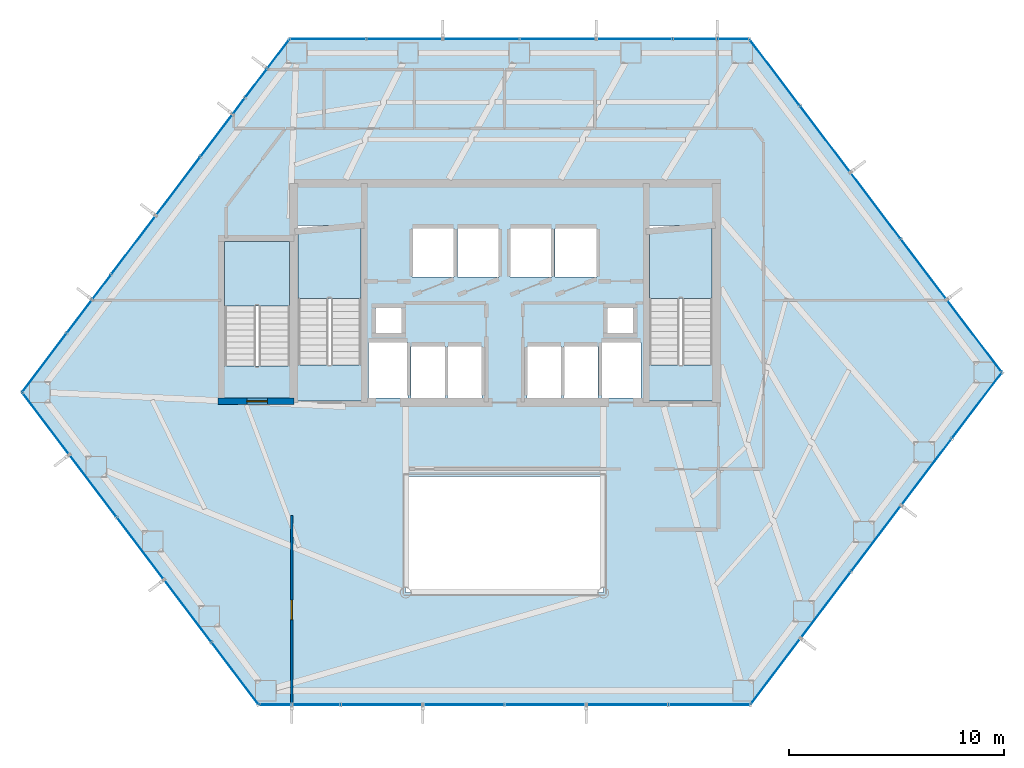
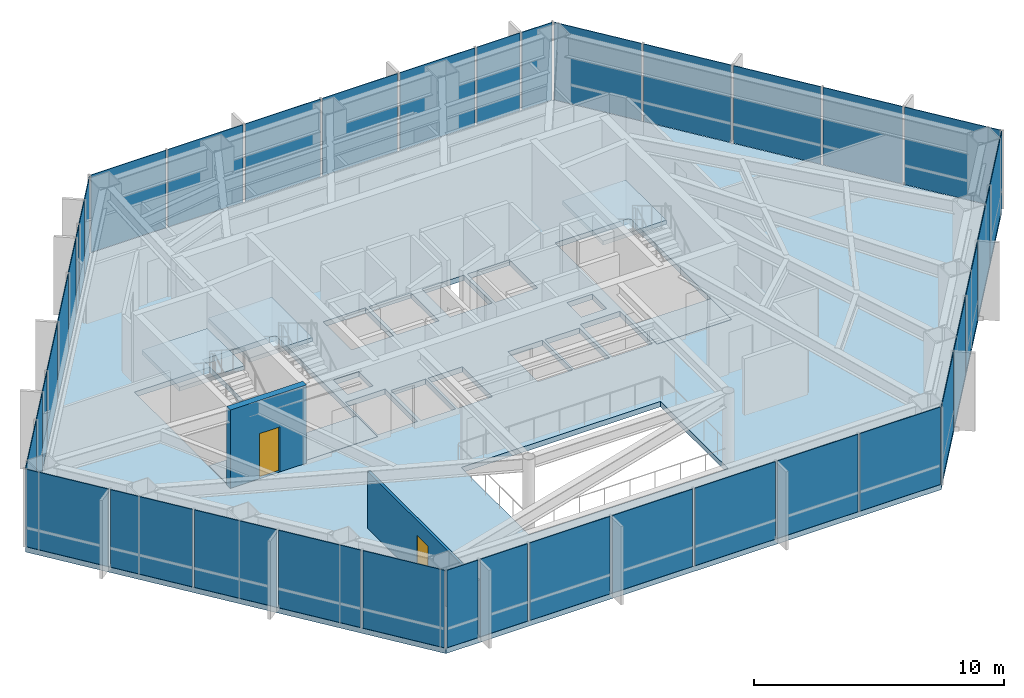
# One storey, part 22 of 26: 38 plates, 7 slabs, 2 doors, 2 walls, 2 openings, 9 elements without a shape of their own.
"""IFC4 building model written with IfcOpenShell, lengths in metres."""

from ifc_helpers import new_model, si_unit, direction, frame, frame_2d, origin, origin_2d, place, context, subcontext, project, spatial, polyline, rectangle, outline, extrude, material, layer, layer_set, type_object, element, fill, aggregate, save


model = new_model("IFC4")

# Units and contexts
model_context = context("Model", 3, precision=1e-05, world=origin(), true_north=direction((0.0, 1.0)))
body_context = subcontext(model_context, "Body", "Model", "MODEL_VIEW")
ifc_project = project(units=[si_unit("LENGTHUNIT", "METRE"), si_unit("AREAUNIT", "SQUARE_METRE"), si_unit("VOLUMEUNIT", "CUBIC_METRE"), si_unit("PLANEANGLEUNIT", "RADIAN"), si_unit("MASSUNIT", "GRAM", prefix="KILO")], contexts=[model_context])

# Site, building, storey
site_placement = place(None, origin())
site = spatial("IfcSite", under=ifc_project, at=site_placement, CompositionType="ELEMENT")
building_placement = place(site_placement, origin())
building = spatial("IfcBuilding", under=site, at=building_placement, Name="Zarrinselat Tower", CompositionType="ELEMENT")
storey_placement = place(building_placement, frame((0.0, 0.0, 27.5400390625)))
storey = spatial("IfcBuildingStorey", under=building, at=storey_placement, Name="L06", CompositionType="ELEMENT", Elevation=27.5400390625)

# Curtain wall, plates
ifc_material_1 = material(Name="Extruded Aluminium Alloy EN AW-6063 T6", Category="aluminium")
ifc_layer_1 = layer(ifc_material_1, 0.18505859375)
ifc_layer_set_1 = layer_set([ifc_layer_1], Name="Extruded Aluminium Alloy EN AW-6063 T6")
curtain_wall_type = type_object("IfcCurtainWallType", Name="CWS-OFF", PredefinedType="NOTDEFINED", material=ifc_layer_set_1)
curtain_wall_1_placement = place(storey_placement, origin())
curtain_wall_1 = element("IfcCurtainWall", 1, at=curtain_wall_1_placement, inside=storey, type_object=curtain_wall_type, Name="L06 Unitised Curtain Wall CW-L06-E01", PredefinedType="NOTDEFINED")
ifc_material_2 = material(Name="Double Low-E Laminated Solar Glass", Category="glass")
ifc_layer_2 = layer(ifc_material_2, 0.031982421875)
ifc_layer_set_2 = layer_set([ifc_layer_2], Name="Double Low-E Laminated Solar Glass")
plate_type = type_object("IfcPlateType", Name="PLT-CW-GL32", PredefinedType="CURTAIN_PANEL", material=ifc_layer_set_2)
plate_1_placement = place(storey_placement, frame((49.044677734375, 50.1611328125, 0.02001953125), z_axis=(0.0, 0.0, 1.0), x_axis=(-1.0, 0.0, 0.0)))
plate_1 = element("IfcPlate", 2, at=plate_1_placement, type_object=plate_type, Name="CW-L06-E01 Vision Glass Panel 1", PredefinedType="CURTAIN_PANEL", context=body_context, shape_type="SweptSolid", body=[
    extrude(rectangle(XDim=1.389404296875, YDim=0.031982421875, at=origin_2d()), origin(), (0.0, 0.0, 1.0), 3.780029296875),
])
plate_2_placement = place(storey_placement, frame((47.26220703125, 50.1611328125, 0.02001953125), z_axis=(0.0, 0.0, 1.0), x_axis=(-1.0, 0.0, 0.0)))
plate_2 = element("IfcPlate", 3, at=plate_2_placement, type_object=plate_type, Name="CW-L06-E01 Vision Glass Panel 2", PredefinedType="CURTAIN_PANEL", context=body_context, shape_type="SweptSolid", body=[
    extrude(rectangle(XDim=1.9755859375, YDim=0.031982421875, at=origin_2d()), origin(), (0.0, 0.0, 1.0), 3.780029296875),
])
plate_3_placement = place(storey_placement, frame((44.44189453125, 50.1611328125, 0.02001953125), z_axis=(0.0, 0.0, 1.0), x_axis=(-1.0, 0.0, 0.0)))
plate_3 = element("IfcPlate", 4, at=plate_3_placement, type_object=plate_type, Name="CW-L06-E01 Vision Glass Panel 3", PredefinedType="CURTAIN_PANEL", context=body_context, shape_type="SweptSolid", body=[
    extrude(rectangle(XDim=3.465087890625, YDim=0.031982421875, at=origin_2d()), origin(), (0.0, 0.0, 1.0), 3.780029296875),
])
plate_4_placement = place(storey_placement, frame((40.876953125, 50.1611328125, 0.02001953125), z_axis=(0.0, 0.0, 1.0), x_axis=(-1.0, 0.0, 0.0)))
plate_4 = element("IfcPlate", 5, at=plate_4_placement, type_object=plate_type, Name="CW-L06-E01 Vision Glass Panel 4", PredefinedType="CURTAIN_PANEL", context=body_context, shape_type="SweptSolid", body=[
    extrude(rectangle(XDim=3.465087890625, YDim=0.031982421875, at=origin_2d()), origin(), (0.0, 0.0, 1.0), 3.780029296875),
])
plate_5_placement = place(storey_placement, frame((37.31201171875, 50.1611328125, 0.02001953125), z_axis=(0.0, 0.0, 1.0), x_axis=(-1.0, 0.0, 0.0)))
plate_5 = element("IfcPlate", 6, at=plate_5_placement, type_object=plate_type, Name="CW-L06-E01 Vision Glass Panel 5", PredefinedType="CURTAIN_PANEL", context=body_context, shape_type="SweptSolid", body=[
    extrude(rectangle(XDim=3.465087890625, YDim=0.031982421875, at=origin_2d()), origin(), (0.0, 0.0, 1.0), 3.780029296875),
])
plate_6_placement = place(storey_placement, frame((33.746826171875, 50.1611328125, 0.02001953125), z_axis=(0.0, 0.0, 1.0), x_axis=(-1.0, 0.0, 0.0)))
plate_6 = element("IfcPlate", 7, at=plate_6_placement, type_object=plate_type, Name="CW-L06-E01 Vision Glass Panel 6", PredefinedType="CURTAIN_PANEL", context=body_context, shape_type="SweptSolid", body=[
    extrude(rectangle(XDim=3.465087890625, YDim=0.031982421875, at=origin_2d()), origin(), (0.0, 0.0, 1.0), 3.780029296875),
])
plate_7_placement = place(storey_placement, frame((30.181884765625, 50.1611328125, 0.02001953125), z_axis=(0.0, 0.0, 1.0), x_axis=(-1.0, 0.0, 0.0)))
plate_7 = element("IfcPlate", 8, at=plate_7_placement, type_object=plate_type, Name="CW-L06-E01 Vision Glass Panel 7", PredefinedType="CURTAIN_PANEL", context=body_context, shape_type="SweptSolid", body=[
    extrude(rectangle(XDim=3.465087890625, YDim=0.031982421875, at=origin_2d()), origin(), (0.0, 0.0, 1.0), 3.780029296875),
])
aggregate(curtain_wall_1, [plate_1, plate_2, plate_3, plate_4, plate_5, plate_6, plate_7])

curtain_wall_2_placement = place(storey_placement, origin())
curtain_wall_2 = element("IfcCurtainWall", 9, at=curtain_wall_2_placement, inside=storey, type_object=curtain_wall_type, Name="L06 Unitised Curtain Wall CW-L06-E02", PredefinedType="NOTDEFINED")
plate_8_placement = place(storey_placement, frame((27.878662109375, 49.4736328125, 0.02001953125), z_axis=(0.0, 0.0, 1.0), x_axis=(-0.603858715485, -0.797091369752, 0.0)))
plate_8 = element("IfcPlate", 10, at=plate_8_placement, type_object=plate_type, Name="CW-L06-E02 Vision Glass Panel 1", PredefinedType="CURTAIN_PANEL", context=body_context, shape_type="SweptSolid", body=[
    extrude(rectangle(XDim=1.624755859375, YDim=0.031982421875, at=origin_2d()), origin(), (0.0, 0.0, 1.0), 3.780029296875),
])
plate_9_placement = place(storey_placement, frame((26.84130859375, 48.1044921875, 0.02001953125), z_axis=(0.0, 0.0, 1.0), x_axis=(-0.603858715485, -0.797091369752, 0.0)))
plate_9 = element("IfcPlate", 11, at=plate_9_placement, type_object=plate_type, Name="CW-L06-E02 Vision Glass Panel 2", PredefinedType="CURTAIN_PANEL", context=body_context, shape_type="SweptSolid", body=[
    extrude(rectangle(XDim=1.610595703125, YDim=0.031982421875, at=origin_2d()), origin(), (0.0, 0.0, 1.0), 3.780029296875),
])
plate_10_placement = place(storey_placement, frame((26.03857421875, 47.044921875, 0.02001953125), z_axis=(0.0, 0.0, 1.0), x_axis=(-0.603858715485, -0.797091369752, 0.0)))
plate_10 = element("IfcPlate", 12, at=plate_10_placement, type_object=plate_type, Name="CW-L06-E02 Vision Glass Panel 3", PredefinedType="CURTAIN_PANEL", context=body_context, shape_type="SweptSolid", body=[
    extrude(rectangle(XDim=0.8486328125, YDim=0.031982421875, at=origin_2d()), origin(), (0.0, 0.0, 1.0), 3.780029296875),
])
plate_11_placement = place(storey_placement, frame((25.001220703125, 45.67578125, 0.02001953125), z_axis=(0.0, 0.0, 1.0), x_axis=(-0.603858715485, -0.797091369752, 0.0)))
plate_11 = element("IfcPlate", 13, at=plate_11_placement, type_object=plate_type, Name="CW-L06-E02 Vision Glass Panel 4", PredefinedType="CURTAIN_PANEL", context=body_context, shape_type="SweptSolid", body=[
    extrude(rectangle(XDim=2.38671875, YDim=0.031982421875, at=origin_2d()), origin(), (0.0, 0.0, 1.0), 3.780029296875),
])
plate_12_placement = place(storey_placement, frame((23.21337890625, 43.3154296875, 0.02001953125), z_axis=(0.0, 0.0, 1.0), x_axis=(-0.603858715485, -0.797091369752, 0.0)))
plate_12 = element("IfcPlate", 14, at=plate_12_placement, type_object=plate_type, Name="CW-L06-E02 Vision Glass Panel 5", PredefinedType="CURTAIN_PANEL", context=body_context, shape_type="SweptSolid", body=[
    extrude(rectangle(XDim=3.335205078125, YDim=0.031982421875, at=origin_2d()), origin(), (0.0, 0.0, 1.0), 3.780029296875),
])
plate_13_placement = place(storey_placement, frame((21.138916015625, 40.5771484375, 0.02001953125), z_axis=(0.0, 0.0, 1.0), x_axis=(-0.603858715485, -0.797091369752, 0.0)))
plate_13 = element("IfcPlate", 15, at=plate_13_placement, type_object=plate_type, Name="CW-L06-E02 Vision Glass Panel 6", PredefinedType="CURTAIN_PANEL", context=body_context, shape_type="SweptSolid", body=[
    extrude(rectangle(XDim=3.335205078125, YDim=0.031982421875, at=origin_2d()), origin(), (0.0, 0.0, 1.0), 3.780029296875),
])
plate_14_placement = place(storey_placement, frame((19.65771484375, 38.6220703125, 0.02001953125), z_axis=(0.0, 0.0, 1.0), x_axis=(-0.603858715485, -0.797091369752, 0.0)))
plate_14 = element("IfcPlate", 16, at=plate_14_placement, type_object=plate_type, Name="CW-L06-E02 Vision Glass Panel 7", PredefinedType="CURTAIN_PANEL", context=body_context, shape_type="SweptSolid", body=[
    extrude(rectangle(XDim=1.3701171875, YDim=0.031982421875, at=origin_2d()), origin(), (0.0, 0.0, 1.0), 3.780029296875),
])
plate_15_placement = place(storey_placement, frame((18.62060546875, 37.2529296875, 0.02001953125), z_axis=(0.0, 0.0, 1.0), x_axis=(-0.603858715485, -0.797091369752, 0.0)))
plate_15 = element("IfcPlate", 17, at=plate_15_placement, type_object=plate_type, Name="CW-L06-E02 Vision Glass Panel 8", PredefinedType="CURTAIN_PANEL", context=body_context, shape_type="SweptSolid", body=[
    extrude(rectangle(XDim=1.865234375, YDim=0.031982421875, at=origin_2d()), origin(), (0.0, 0.0, 1.0), 3.780029296875),
])
plate_16_placement = place(storey_placement, frame((16.989990234375, 35.1005859375, 0.02001953125), z_axis=(0.0, 0.0, 1.0), x_axis=(-0.603858715485, -0.797091369752, 0.0)))
plate_16 = element("IfcPlate", 18, at=plate_16_placement, type_object=plate_type, Name="CW-L06-E02 Vision Glass Panel 9", PredefinedType="CURTAIN_PANEL", context=body_context, shape_type="SweptSolid", body=[
    extrude(rectangle(XDim=3.335205078125, YDim=0.031982421875, at=origin_2d()), origin(), (0.0, 0.0, 1.0), 3.780029296875),
])
aggregate(curtain_wall_2, [plate_8, plate_9, plate_10, plate_11, plate_12, plate_13, plate_14, plate_15, plate_16])

curtain_wall_3_placement = place(storey_placement, origin())
curtain_wall_3 = element("IfcCurtainWall", 19, at=curtain_wall_3_placement, inside=storey, type_object=curtain_wall_type, Name="L06 Unitised Curtain Wall CW-L06-E03", PredefinedType="NOTDEFINED")
plate_17_placement = place(storey_placement, frame((17.05419921875, 32.27734375, 0.02001953125), z_axis=(0.0, 0.0, 1.0), x_axis=(0.603858215687, -0.797091748388, 0.0)))
plate_17 = element("IfcPlate", 20, at=plate_17_placement, type_object=plate_type, Name="CW-L06-E03 Vision Glass Panel 1", PredefinedType="CURTAIN_PANEL", context=body_context, shape_type="SweptSolid", body=[
    extrude(rectangle(XDim=3.548583984375, YDim=0.031982421875, at=origin_2d()), origin(), (0.0, 0.0, 1.0), 3.780029296875),
])
plate_18_placement = place(storey_placement, frame((19.257568359375, 29.369140625, 0.02001953125), z_axis=(0.0, 0.0, 1.0), x_axis=(0.603858215687, -0.797091748388, 0.0)))
plate_18 = element("IfcPlate", 21, at=plate_18_placement, type_object=plate_type, Name="CW-L06-E03 Vision Glass Panel 2", PredefinedType="CURTAIN_PANEL", context=body_context, shape_type="SweptSolid", body=[
    extrude(rectangle(XDim=3.548583984375, YDim=0.031982421875, at=origin_2d()), origin(), (0.0, 0.0, 1.0), 3.780029296875),
])
plate_19_placement = place(storey_placement, frame((21.460693359375, 26.4609375, 0.02001953125), z_axis=(0.0, 0.0, 1.0), x_axis=(0.603858215687, -0.797091748388, 0.0)))
plate_19 = element("IfcPlate", 22, at=plate_19_placement, type_object=plate_type, Name="CW-L06-E03 Vision Glass Panel 3", PredefinedType="CURTAIN_PANEL", context=body_context, shape_type="SweptSolid", body=[
    extrude(rectangle(XDim=3.548583984375, YDim=0.031982421875, at=origin_2d()), origin(), (0.0, 0.0, 1.0), 3.780029296875),
])
plate_20_placement = place(storey_placement, frame((23.663818359375, 23.552734375, 0.02001953125), z_axis=(0.0, 0.0, 1.0), x_axis=(0.603858215687, -0.797091748388, 0.0)))
plate_20 = element("IfcPlate", 23, at=plate_20_placement, type_object=plate_type, Name="CW-L06-E03 Vision Glass Panel 4", PredefinedType="CURTAIN_PANEL", context=body_context, shape_type="SweptSolid", body=[
    extrude(rectangle(XDim=3.548583984375, YDim=0.031982421875, at=origin_2d()), origin(), (0.0, 0.0, 1.0), 3.780029296875),
])
plate_21_placement = place(storey_placement, frame((25.8671875, 20.64453125, 0.02001953125), z_axis=(0.0, 0.0, 1.0), x_axis=(0.603858215687, -0.797091748388, 0.0)))
plate_21 = element("IfcPlate", 24, at=plate_21_placement, type_object=plate_type, Name="CW-L06-E03 Vision Glass Panel 5", PredefinedType="CURTAIN_PANEL", context=body_context, shape_type="SweptSolid", body=[
    extrude(rectangle(XDim=3.548583984375, YDim=0.031982421875, at=origin_2d()), origin(), (0.0, 0.0, 1.0), 3.780029296875),
])
aggregate(curtain_wall_3, [plate_17, plate_18, plate_19, plate_20, plate_21])

curtain_wall_4_placement = place(storey_placement, origin())
curtain_wall_4 = element("IfcCurtainWall", 25, at=curtain_wall_4_placement, inside=storey, type_object=curtain_wall_type, Name="L06 Unitised Curtain Wall CW-L06-E04", PredefinedType="NOTDEFINED")
plate_22_placement = place(storey_placement, frame((27.734375, 19.1904296875, 0.02001953125), z_axis=(0.0, 0.0, 1.0), x_axis=(1.0, 0.0, 0.0)))
plate_22 = element("IfcPlate", 26, at=plate_22_placement, type_object=plate_type, Name="CW-L06-E04 Vision Glass Panel 1", PredefinedType="CURTAIN_PANEL", context=body_context, shape_type="SweptSolid", body=[
    extrude(rectangle(XDim=1.431396484375, YDim=0.031982421875, at=origin_2d()), origin(), (0.0, 0.0, 1.0), 3.780029296875),
])
plate_23_placement = place(storey_placement, frame((29.6396484375, 19.1904296875, 0.02001953125), z_axis=(0.0, 0.0, 1.0), x_axis=(1.0, 0.0, 0.0)))
plate_23 = element("IfcPlate", 27, at=plate_23_placement, type_object=plate_type, Name="CW-L06-E04 Vision Glass Panel 2", PredefinedType="CURTAIN_PANEL", context=body_context, shape_type="SweptSolid", body=[
    extrude(rectangle(XDim=2.17919921875, YDim=0.031982421875, at=origin_2d()), origin(), (0.0, 0.0, 1.0), 3.780029296875),
])
plate_24_placement = place(storey_placement, frame((32.684326171875, 19.1904296875, 0.02001953125), z_axis=(0.0, 0.0, 1.0), x_axis=(1.0, 0.0, 0.0)))
plate_24 = element("IfcPlate", 28, at=plate_24_placement, type_object=plate_type, Name="CW-L06-E04 Vision Glass Panel 3", PredefinedType="CURTAIN_PANEL", context=body_context, shape_type="SweptSolid", body=[
    extrude(rectangle(XDim=3.71044921875, YDim=0.031982421875, at=origin_2d()), origin(), (0.0, 0.0, 1.0), 3.780029296875),
])
plate_25_placement = place(storey_placement, frame((36.494873046875, 19.1904296875, 0.02001953125), z_axis=(0.0, 0.0, 1.0), x_axis=(1.0, 0.0, 0.0)))
plate_25 = element("IfcPlate", 29, at=plate_25_placement, type_object=plate_type, Name="CW-L06-E04 Vision Glass Panel 4", PredefinedType="CURTAIN_PANEL", context=body_context, shape_type="SweptSolid", body=[
    extrude(rectangle(XDim=3.71044921875, YDim=0.031982421875, at=origin_2d()), origin(), (0.0, 0.0, 1.0), 3.780029296875),
])
plate_26_placement = place(storey_placement, frame((40.30517578125, 19.1904296875, 0.02001953125), z_axis=(0.0, 0.0, 1.0), x_axis=(1.0, 0.0, 0.0)))
plate_26 = element("IfcPlate", 30, at=plate_26_placement, type_object=plate_type, Name="CW-L06-E04 Vision Glass Panel 5", PredefinedType="CURTAIN_PANEL", context=body_context, shape_type="SweptSolid", body=[
    extrude(rectangle(XDim=3.71044921875, YDim=0.031982421875, at=origin_2d()), origin(), (0.0, 0.0, 1.0), 3.780029296875),
])
plate_27_placement = place(storey_placement, frame((44.11572265625, 19.1904296875, 0.02001953125), z_axis=(0.0, 0.0, 1.0), x_axis=(1.0, 0.0, 0.0)))
plate_27 = element("IfcPlate", 31, at=plate_27_placement, type_object=plate_type, Name="CW-L06-E04 Vision Glass Panel 6", PredefinedType="CURTAIN_PANEL", context=body_context, shape_type="SweptSolid", body=[
    extrude(rectangle(XDim=3.71044921875, YDim=0.031982421875, at=origin_2d()), origin(), (0.0, 0.0, 1.0), 3.780029296875),
])
plate_28_placement = place(storey_placement, frame((47.926025390625, 19.1904296875, 0.02001953125), z_axis=(0.0, 0.0, 1.0), x_axis=(1.0, 0.0, 0.0)))
plate_28 = element("IfcPlate", 32, at=plate_28_placement, type_object=plate_type, Name="CW-L06-E04 Vision Glass Panel 7", PredefinedType="CURTAIN_PANEL", context=body_context, shape_type="SweptSolid", body=[
    extrude(rectangle(XDim=3.71044921875, YDim=0.031982421875, at=origin_2d()), origin(), (0.0, 0.0, 1.0), 3.780029296875),
])
aggregate(curtain_wall_4, [plate_22, plate_23, plate_24, plate_25, plate_26, plate_27, plate_28])

curtain_wall_5_placement = place(storey_placement, origin())
curtain_wall_5 = element("IfcCurtainWall", 33, at=curtain_wall_5_placement, inside=storey, type_object=curtain_wall_type, Name="L06 Unitised Curtain Wall CW-L06-E05", PredefinedType="NOTDEFINED")
plate_29_placement = place(storey_placement, frame((51.002197265625, 20.736083984375, 0.02001953125), z_axis=(0.0, 0.0, 1.0), x_axis=(0.603858382963, 0.797091621663, 0.0)))
plate_29 = element("IfcPlate", 34, at=plate_29_placement, type_object=plate_type, Name="CW-L06-E05 Vision Glass Panel 1", PredefinedType="CURTAIN_PANEL", context=body_context, shape_type="SweptSolid", body=[
    extrude(rectangle(XDim=3.778564453125, YDim=0.031982421875, at=origin_2d()), origin(), (0.0, 0.0, 1.0), 3.780029296875),
])
plate_30_placement = place(storey_placement, frame((53.344482421875, 23.82763671875, 0.02001953125), z_axis=(0.0, 0.0, 1.0), x_axis=(0.603858382963, 0.797091621663, 0.0)))
plate_30 = element("IfcPlate", 35, at=plate_30_placement, type_object=plate_type, Name="CW-L06-E05 Vision Glass Panel 2", PredefinedType="CURTAIN_PANEL", context=body_context, shape_type="SweptSolid", body=[
    extrude(rectangle(XDim=3.778564453125, YDim=0.031982421875, at=origin_2d()), origin(), (0.0, 0.0, 1.0), 3.780029296875),
])
plate_31_placement = place(storey_placement, frame((55.6865234375, 26.919189453125, 0.02001953125), z_axis=(0.0, 0.0, 1.0), x_axis=(0.603858382963, 0.797091621663, 0.0)))
plate_31 = element("IfcPlate", 36, at=plate_31_placement, type_object=plate_type, Name="CW-L06-E05 Vision Glass Panel 3", PredefinedType="CURTAIN_PANEL", context=body_context, shape_type="SweptSolid", body=[
    extrude(rectangle(XDim=3.778564453125, YDim=0.031982421875, at=origin_2d()), origin(), (0.0, 0.0, 1.0), 3.780029296875),
])
plate_32_placement = place(storey_placement, frame((58.028564453125, 30.0107421875, 0.02001953125), z_axis=(0.0, 0.0, 1.0), x_axis=(0.603858382963, 0.797091621663, 0.0)))
plate_32 = element("IfcPlate", 37, at=plate_32_placement, type_object=plate_type, Name="CW-L06-E05 Vision Glass Panel 4", PredefinedType="CURTAIN_PANEL", context=body_context, shape_type="SweptSolid", body=[
    extrude(rectangle(XDim=3.778564453125, YDim=0.031982421875, at=origin_2d()), origin(), (0.0, 0.0, 1.0), 3.780029296875),
])
plate_33_placement = place(storey_placement, frame((60.37060546875, 33.102294921875, 0.02001953125), z_axis=(0.0, 0.0, 1.0), x_axis=(0.603858382963, 0.797091621663, 0.0)))
plate_33 = element("IfcPlate", 38, at=plate_33_placement, type_object=plate_type, Name="CW-L06-E05 Vision Glass Panel 5", PredefinedType="CURTAIN_PANEL", context=body_context, shape_type="SweptSolid", body=[
    extrude(rectangle(XDim=3.778564453125, YDim=0.031982421875, at=origin_2d()), origin(), (0.0, 0.0, 1.0), 3.780029296875),
])
aggregate(curtain_wall_5, [plate_29, plate_30, plate_31, plate_32, plate_33])

curtain_wall_6_placement = place(storey_placement, origin())
curtain_wall_6 = element("IfcCurtainWall", 39, at=curtain_wall_6_placement, inside=storey, type_object=curtain_wall_type, Name="L06 Unitised Curtain Wall CW-L06-E06", PredefinedType="NOTDEFINED")
plate_34_placement = place(storey_placement, frame((60.25830078125, 36.34228515625, 0.02001953125), z_axis=(0.0, 0.0, 1.0), x_axis=(-0.603858578341, 0.797091473649, 0.0)))
plate_34 = element("IfcPlate", 40, at=plate_34_placement, type_object=plate_type, Name="CW-L06-E06 Vision Glass Panel 1", PredefinedType="CURTAIN_PANEL", context=body_context, shape_type="SweptSolid", body=[
    extrude(rectangle(XDim=4.150634765625, YDim=0.031982421875, at=origin_2d()), origin(), (0.0, 0.0, 1.0), 3.780029296875),
])
plate_35_placement = place(storey_placement, frame((57.907958984375, 39.44482421875, 0.02001953125), z_axis=(0.0, 0.0, 1.0), x_axis=(-0.603858578341, 0.797091473649, 0.0)))
plate_35 = element("IfcPlate", 41, at=plate_35_placement, type_object=plate_type, Name="CW-L06-E06 Vision Glass Panel 2", PredefinedType="CURTAIN_PANEL", context=body_context, shape_type="SweptSolid", body=[
    extrude(rectangle(XDim=3.43408203125, YDim=0.031982421875, at=origin_2d()), origin(), (0.0, 0.0, 1.0), 3.780029296875),
])
plate_36_placement = place(storey_placement, frame((55.66552734375, 42.404541015625, 0.02001953125), z_axis=(0.0, 0.0, 1.0), x_axis=(-0.603858578341, 0.797091473649, 0.0)))
plate_36 = element("IfcPlate", 42, at=plate_36_placement, type_object=plate_type, Name="CW-L06-E06 Vision Glass Panel 3", PredefinedType="CURTAIN_PANEL", context=body_context, shape_type="SweptSolid", body=[
    extrude(rectangle(XDim=3.79248046875, YDim=0.031982421875, at=origin_2d()), origin(), (0.0, 0.0, 1.0), 3.780029296875),
])
plate_37_placement = place(storey_placement, frame((53.315185546875, 45.507080078125, 0.02001953125), z_axis=(0.0, 0.0, 1.0), x_axis=(-0.603858578341, 0.797091473649, 0.0)))
plate_37 = element("IfcPlate", 43, at=plate_37_placement, type_object=plate_type, Name="CW-L06-E06 Vision Glass Panel 4", PredefinedType="CURTAIN_PANEL", context=body_context, shape_type="SweptSolid", body=[
    extrude(rectangle(XDim=3.79248046875, YDim=0.031982421875, at=origin_2d()), origin(), (0.0, 0.0, 1.0), 3.780029296875),
])
plate_38_placement = place(storey_placement, frame((50.964599609375, 48.60986328125, 0.02001953125), z_axis=(0.0, 0.0, 1.0), x_axis=(-0.603858578341, 0.797091473649, 0.0)))
plate_38 = element("IfcPlate", 44, at=plate_38_placement, type_object=plate_type, Name="CW-L06-E06 Vision Glass Panel 5", PredefinedType="CURTAIN_PANEL", context=body_context, shape_type="SweptSolid", body=[
    extrude(rectangle(XDim=3.79248046875, YDim=0.031982421875, at=origin_2d()), origin(), (0.0, 0.0, 1.0), 3.780029296875),
])
aggregate(curtain_wall_6, [plate_34, plate_35, plate_36, plate_37, plate_38])

# Slabs
ifc_material_3 = material(Name="Concrete C40/50", Category="concrete")
ifc_layer_3 = layer(ifc_material_3, 0.260009765625)
ifc_layer_set_3 = layer_set([ifc_layer_3], Name="Concrete C40/50")
slab_type_1 = type_object("IfcSlabType", Name="SLB-FLOOR-260-SL-OF260", PredefinedType="FLOOR", material=ifc_layer_set_3)
slab_1_placement = place(storey_placement, frame((0.0, 0.0, -0.260009765625)))
element("IfcSlab", 45, at=slab_1_placement, inside=storey, type_object=slab_type_1, Name="L06 Primary Structural Slab", PredefinedType="FLOOR", context=body_context, shape_type="SweptSolid", body=[
    extrude(outline(polyline([(49.789306640625, 50.1611328125), (28.3994140625, 50.1611328125), (15.95263671875, 33.7314453125), (26.96875, 19.1904296875), (49.831298828125, 19.1904296875), (61.541748046875, 34.648193359375), (49.789306640625, 50.1611328125)]), holes=[polyline([(34.050048828125, 33.449951171875), (34.050048828125, 35.85009765625), (35.64990234375, 35.85009765625), (35.64990234375, 33.449951171875), (34.050048828125, 33.449951171875)]), polyline([(35.75, 33.449951171875), (35.75, 35.85009765625), (37.35009765625, 35.85009765625), (37.35009765625, 33.449951171875), (35.75, 33.449951171875)]), polyline([(32.06005859375, 33.449951171875), (32.06005859375, 36.050048828125), (33.89990234375, 36.050048828125), (33.89990234375, 33.449951171875), (32.06005859375, 33.449951171875)]), polyline([(32.419921875, 36.47998046875), (32.419921875, 37.639892578125), (33.60009765625, 37.639892578125), (33.60009765625, 36.47998046875), (32.419921875, 36.47998046875)]), polyline([(28.594970703125, 33.324951171875), (25.114990234375, 33.324951171875), (25.114990234375, 40.875), (28.594970703125, 40.875), (28.594970703125, 33.324951171875)]), polyline([(31.985107421875, 33.324951171875), (28.60498046875, 33.324951171875), (28.60498046875, 41.47509765625), (31.985107421875, 41.47509765625), (31.985107421875, 33.324951171875)]), polyline([(34.10009765625, 39.10009765625), (34.10009765625, 41.35009765625), (36.050048828125, 41.35009765625), (36.050048828125, 39.10009765625), (34.10009765625, 39.10009765625)]), polyline([(36.199951171875, 39.10009765625), (36.199951171875, 41.35009765625), (38.14990234375, 41.35009765625), (38.14990234375, 39.10009765625), (36.199951171875, 39.10009765625)]), polyline([(33.800048828125, 24.39990234375), (33.800048828125, 29.800048828125), (43.0, 29.800048828125), (43.0, 24.39990234375), (33.800048828125, 24.39990234375)]), polyline([(39.449951171875, 33.449951171875), (39.449951171875, 35.85009765625), (41.050048828125, 35.85009765625), (41.050048828125, 33.449951171875), (39.449951171875, 33.449951171875)]), polyline([(41.14990234375, 33.449951171875), (41.14990234375, 35.85009765625), (42.75, 35.85009765625), (42.75, 33.449951171875), (41.14990234375, 33.449951171875)]), polyline([(42.89990234375, 33.449951171875), (42.89990234375, 36.050048828125), (44.739990234375, 36.050048828125), (44.739990234375, 33.449951171875), (42.89990234375, 33.449951171875)]), polyline([(43.199951171875, 36.47998046875), (43.199951171875, 37.639892578125), (44.3798828125, 37.639892578125), (44.3798828125, 36.47998046875), (43.199951171875, 36.47998046875)]), polyline([(48.324951171875, 33.324951171875), (44.875, 33.324951171875), (44.875, 41.47509765625), (48.324951171875, 41.47509765625), (48.324951171875, 33.324951171875)]), polyline([(38.64990234375, 39.10009765625), (38.64990234375, 41.35009765625), (40.60009765625, 41.35009765625), (40.60009765625, 39.10009765625), (38.64990234375, 39.10009765625)]), polyline([(40.75, 39.10009765625), (40.75, 41.35009765625), (42.699951171875, 41.35009765625), (42.699951171875, 39.10009765625), (40.75, 39.10009765625)])]), origin(), (0.0, 0.0, 1.0), 0.260009765625),
])
slab_2_placement = place(storey_placement, frame((0.0, 0.0, -0.260009765625)))
element("IfcSlab", 46, at=slab_2_placement, inside=storey, type_object=slab_type_1, Name="L06 Stair ST-1-FL1 Structural Floor Landing", PredefinedType="FLOOR", context=body_context, shape_type="SweptSolid", body=[
    extrude(outline(polyline([(31.97998046875, 33.330078125), (31.97998046875, 35.0), (28.610107421875, 35.0), (28.610107421875, 33.330078125), (31.97998046875, 33.330078125)])), origin(), (0.0, 0.0, 1.0), 0.260009765625),
])
slab_3_placement = place(storey_placement, frame((0.0, 0.0, -0.260009765625)))
element("IfcSlab", 47, at=slab_3_placement, inside=storey, type_object=slab_type_1, Name="L06 Stair ST-2-FL1 Structural Floor Landing", PredefinedType="FLOOR", context=body_context, shape_type="SweptSolid", body=[
    extrude(outline(polyline([(48.320068359375, 33.330078125), (48.320068359375, 35.0), (44.8798828125, 35.0), (44.8798828125, 33.330078125), (48.320068359375, 33.330078125)])), origin(), (0.0, 0.0, 1.0), 0.260009765625),
])
slab_4_placement = place(storey_placement, frame((0.0, 0.0, -0.260009765625)))
element("IfcSlab", 48, at=slab_4_placement, inside=storey, type_object=slab_type_1, Name="L06 Stair ST-3-FL1 Structural Floor Landing", PredefinedType="FLOOR", context=body_context, shape_type="SweptSolid", body=[
    extrude(outline(polyline([(28.590087890625, 33.330078125), (28.590087890625, 34.949951171875), (25.1201171875, 34.949951171875), (25.1201171875, 33.330078125), (28.590087890625, 33.330078125)])), origin(), (0.0, 0.0, 1.0), 0.260009765625),
])

# Stair, slab
ifc_material_4 = material(Name="Concrete C40/50", Category="concrete")
stair_type_1 = type_object("IfcStairType", Name="STR-CORE-145", PredefinedType="HALF_TURN_STAIR", material=ifc_material_4)
stair_1_placement = place(storey_placement, origin())
stair_1 = element("IfcStair", 49, at=stair_1_placement, inside=storey, type_object=stair_type_1, Name="L06 Podium & Mid-Tower Exit Stair 3", PredefinedType="HALF_TURN_STAIR")
ifc_material_5 = material(Name="Concrete C40/50", Category="concrete")
ifc_layer_4 = layer(ifc_material_5, 0.1650390625)
ifc_layer_set_4 = layer_set([ifc_layer_4], Name="Concrete C40/50")
slab_type_2 = type_object("IfcSlabType", Name="SLB-LND-165", PredefinedType="LANDING", material=ifc_layer_set_4)
slab_5_placement = place(storey_placement, frame((0.0, 0.0, 1.83984375)))
slab_5 = element("IfcSlab", 50, at=slab_5_placement, type_object=slab_type_2, Name="ST-3 landing 1", PredefinedType="LANDING", context=body_context, shape_type="SweptSolid", body=[
    extrude(outline(polyline([(28.39990234375, 37.75), (28.39990234375, 40.75), (25.3798828125, 40.75), (25.3798828125, 37.75), (28.39990234375, 37.75)])), origin(), (0.0, 0.0, 1.0), 0.2001953125),
])
aggregate(stair_1, [slab_5])

ifc_material_6 = material(Name="Concrete C40/50", Category="concrete")
stair_type_2 = type_object("IfcStairType", Name="STR-CORE-155", PredefinedType="HALF_TURN_STAIR", material=ifc_material_6)
stair_2_placement = place(storey_placement, origin())
stair_2 = element("IfcStair", 51, at=stair_2_placement, inside=storey, type_object=stair_type_2, Name="L06 Core Exit Stair 1", PredefinedType="HALF_TURN_STAIR")
ifc_material_7 = material(Name="Concrete C40/50", Category="concrete")
ifc_layer_5 = layer(ifc_material_7, 0.18994140625)
ifc_layer_set_5 = layer_set([ifc_layer_5], Name="Concrete C40/50")
slab_type_3 = type_object("IfcSlabType", Name="SLB-LND-190", PredefinedType="LANDING", material=ifc_layer_set_5)
slab_6_placement = place(storey_placement, frame((0.0, 0.0, 1.83984375)))
slab_6 = element("IfcSlab", 52, at=slab_6_placement, type_object=slab_type_3, Name="ST-1 landing 1", PredefinedType="LANDING", context=body_context, shape_type="SweptSolid", body=[
    extrude(outline(polyline([(31.719970703125, 38.10009765625), (31.719970703125, 41.35009765625), (28.800048828125, 41.35009765625), (28.800048828125, 38.10009765625), (31.719970703125, 38.10009765625)])), origin(), (0.0, 0.0, 1.0), 0.2001953125),
])
aggregate(stair_2, [slab_6])

stair_3_placement = place(storey_placement, origin())
stair_3 = element("IfcStair", 53, at=stair_3_placement, inside=storey, type_object=stair_type_2, Name="L06 Core Exit Stair 2", PredefinedType="HALF_TURN_STAIR")
slab_7_placement = place(storey_placement, frame((0.0, 0.0, 1.83984375)))
slab_7 = element("IfcSlab", 54, at=slab_7_placement, type_object=slab_type_3, Name="ST-2 landing 1", PredefinedType="LANDING", context=body_context, shape_type="SweptSolid", body=[
    extrude(outline(polyline([(48.06005859375, 38.10009765625), (48.06005859375, 41.35009765625), (45.139892578125, 41.35009765625), (45.139892578125, 38.10009765625), (48.06005859375, 38.10009765625)])), origin(), (0.0, 0.0, 1.0), 0.2001953125),
])
aggregate(stair_3, [slab_7])

# Wall, opening, door
ifc_material_8 = material(Name="Fire-Rated Gypsum Board Partition", Category="gypsum")
ifc_layer_6 = layer(ifc_material_8, 0.1201171875)
ifc_layer_set_6 = layer_set([ifc_layer_6], Name="Fire-Rated Gypsum Board Partition")
wall_type_1 = type_object("IfcWallType", Name="WAL-PART-STD", PredefinedType="PARTITIONING", material=ifc_layer_set_6)
wall_1_placement = place(storey_placement, frame((28.5, 19.205322265625, 0.0), z_axis=(0.0, 0.0, 1.0), x_axis=(0.0, 1.0, 0.0)))
wall_1 = element("IfcWall", 55, at=wall_1_placement, inside=storey, type_object=wall_type_1, Name="L06 Partition Wall 36", PredefinedType="PARTITIONING", context=body_context, shape_type="SweptSolid", body=[
    extrude(rectangle(XDim=8.794677734375, YDim=0.1201171875, at=frame_2d((4.3974609375, 0.0))), origin(), (0.0, 0.0, 1.0), 2.77685546875),
])
opening_1_placement = place(wall_1_placement, frame((3.947265625, 0.0, 0.0)))
opening_1 = element("IfcOpeningElement", 56, at=opening_1_placement, cuts=wall_1, Name="Opening ID-05", PredefinedType="OPENING", context=body_context, shape_type="SweptSolid", body=[
    extrude(rectangle(XDim=0.89990234375, YDim=2.050048828125, at=frame_2d((0.449951171875, 1.02490234375))), frame((0.0, 0.070068359375, 0.0), z_axis=(0.0, -1.0, 0.0), x_axis=(1.0, 0.0, 0.0)), (0.0, 0.0, 1.0), 0.14013671875),
])
ifc_material_9 = material(Name="Extruded Aluminium Alloy EN AW-6063 T6", Category="aluminium")
door_type_1 = type_object("IfcDoorType", Name="DR-INT-STD-920", OperationType="NOTDEFINED", PredefinedType="DOOR", material=ifc_material_9)
door_1_placement = place(opening_1_placement, origin())
door_1 = element("IfcDoor", 57, at=door_1_placement, inside=storey, type_object=door_type_1, Name="L06 Interior Door P36", OperationType="SINGLE_SWING_RIGHT", OverallHeight=2.050048828125, OverallWidth=0.89990234375, PredefinedType="DOOR", context=body_context, shape_type="SweptSolid", body=[
    extrude(rectangle(XDim=0.89990234375, YDim=2.050048828125, at=frame_2d((0.449951171875, 1.02490234375))), frame((0.0, 0.02490234375, 0.0), z_axis=(0.0, -1.0, 0.0), x_axis=(1.0, 0.0, 0.0)), (0.0, 0.0, 1.0), 0.050048828125),
])
fill(opening_1, door_1)

ifc_material_10 = material(Name="Concrete C40/50", Category="concrete")
ifc_layer_7 = layer(ifc_material_10, 0.300048828125)
ifc_layer_set_7 = layer_set([ifc_layer_7], Name="Concrete C40/50")
wall_type_2 = type_object("IfcWallType", Name="WAL-SHEAR-300", PredefinedType="SHEAR", material=ifc_layer_set_7)
wall_2_placement = place(storey_placement, frame((25.080078125, 33.300048828125, 0.0), z_axis=(0.0, 0.0, 1.0), x_axis=(1.0, 0.0, 0.0)))
wall_2 = element("IfcWall", 58, at=wall_2_placement, inside=storey, type_object=wall_type_2, Name="L06 Stair 3 South Shear Wall", PredefinedType="SHEAR", context=body_context, shape_type="SweptSolid", body=[
    extrude(rectangle(XDim=3.52001953125, YDim=0.300048828125, at=frame_2d((1.760009765625, 0.0))), origin(), (0.0, 0.0, 1.0), 3.820068359375),
])
opening_2_placement = place(wall_2_placement, frame((1.3349609375, 0.0, 0.0)))
opening_2 = element("IfcOpeningElement", 59, at=opening_2_placement, cuts=wall_2, Name="Opening SD-02", PredefinedType="OPENING", context=body_context, shape_type="SweptSolid", body=[
    extrude(rectangle(XDim=0.949951171875, YDim=2.199951171875, at=frame_2d((0.47509765625, 1.10009765625))), frame((0.0, 0.159912109375, 0.0), z_axis=(0.0, -1.0, 0.0), x_axis=(1.0, 0.0, 0.0)), (0.0, 0.0, 1.0), 0.320068359375),
])
ifc_material_11 = material(Name="Steel S355J2", Category="steel")
door_type_2 = type_object("IfcDoorType", Name="DR-STAIR-1050", OperationType="NOTDEFINED", PredefinedType="DOOR", material=ifc_material_11)
door_2_placement = place(opening_2_placement, origin())
door_2 = element("IfcDoor", 60, at=door_2_placement, inside=storey, type_object=door_type_2, Name="L06 Exit Stair 3 Fire Door", OperationType="SINGLE_SWING_LEFT", OverallHeight=2.199951171875, OverallWidth=0.949951171875, PredefinedType="DOOR", context=body_context, shape_type="SweptSolid", body=[
    extrude(rectangle(XDim=0.949951171875, YDim=2.199951171875, at=frame_2d((0.47509765625, 1.10009765625))), frame((0.0, 0.02490234375, 0.0), z_axis=(0.0, -1.0, 0.0), x_axis=(1.0, 0.0, 0.0)), (0.0, 0.0, 1.0), 0.050048828125),
])
fill(opening_2, door_2)

save(model, "model.ifc")
